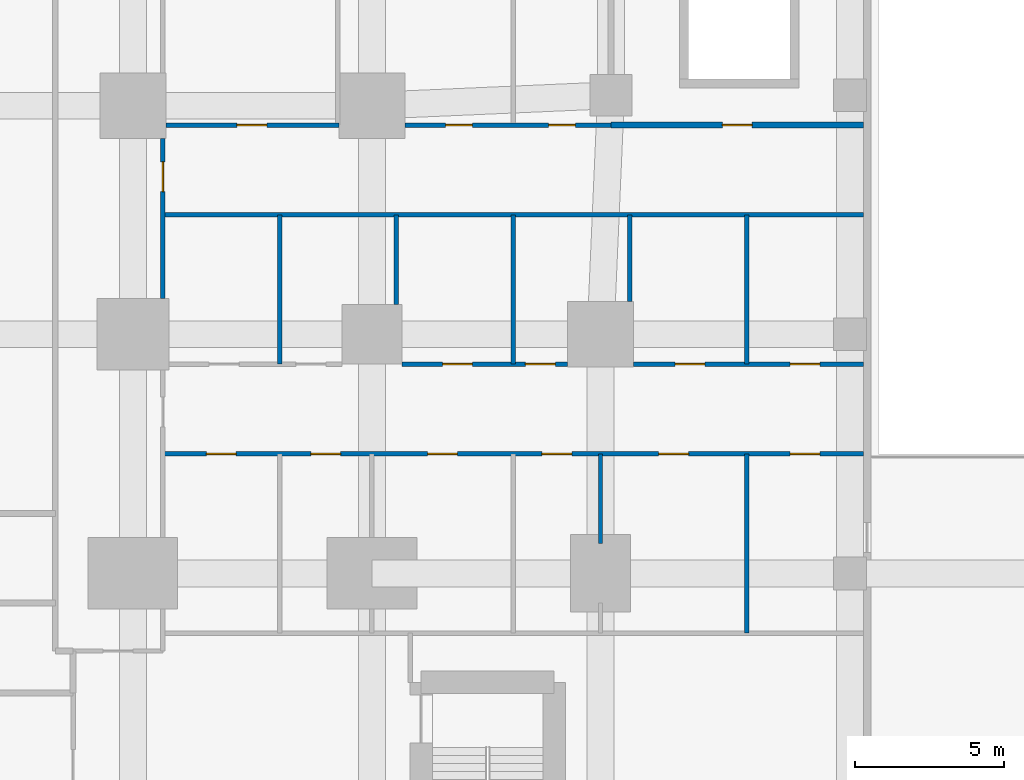
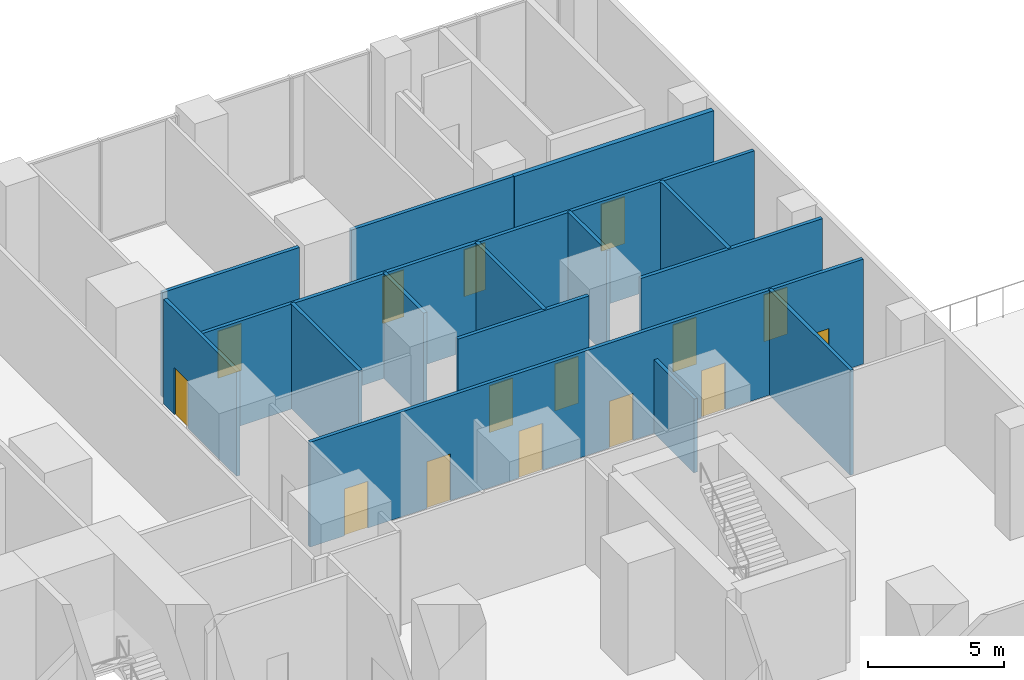
# One storey, part 12 of 19: 15 doors, 15 walls, 15 openings.
"""IFC4 building model written with IfcOpenShell, lengths in metres."""

from ifc_helpers import new_model, si_unit, direction, frame, frame_2d, origin, place, context, subcontext, project, spatial, rectangle, extrude, material, layer, layer_set, type_object, element, fill, save


model = new_model("IFC4")

# Units and contexts
model_context = context("Model", 3, precision=1e-05, world=origin(), true_north=direction((0.0, 1.0)))
body_context = subcontext(model_context, "Body", "Model", "MODEL_VIEW")
ifc_project = project(units=[si_unit("LENGTHUNIT", "METRE"), si_unit("AREAUNIT", "SQUARE_METRE"), si_unit("VOLUMEUNIT", "CUBIC_METRE"), si_unit("PLANEANGLEUNIT", "RADIAN"), si_unit("MASSUNIT", "GRAM", prefix="KILO")], contexts=[model_context])

# Site, building, storey
site_placement = place(None, origin())
site = spatial("IfcSite", under=ifc_project, at=site_placement, CompositionType="ELEMENT")
building_placement = place(site_placement, origin())
building = spatial("IfcBuilding", under=site, at=building_placement, Name="Cleftline Residences", CompositionType="ELEMENT")
storey_placement = place(building_placement, frame((0.0, 0.0, 11.0)))
storey = spatial("IfcBuildingStorey", under=building, at=storey_placement, Name="L02", CompositionType="ELEMENT", Elevation=11.0)

# Wall, opening, door
ifc_material_1 = material(Name="Concrete blockwork, fire rated", Category="masonry")
ifc_layer_1 = layer(ifc_material_1, 0.199951171875)
ifc_layer_set_1 = layer_set([ifc_layer_1], Name="FIRE WALL 200")
wall_type_1 = type_object("IfcWallType", Name="FIRE WALL 200", PredefinedType="PARTITIONING", material=ifc_layer_set_1)
wall_1_placement = place(storey_placement, frame((66.0, 47.0, 0.0), z_axis=(0.0, 0.0, 1.0), x_axis=(1.0, 0.0, 0.0)))
wall_1 = element("IfcWall", 1, at=wall_1_placement, inside=storey, type_object=wall_type_1, Name="Fire separating wall", PredefinedType="PARTITIONING", context=body_context, shape_type="SweptSolid", body=[
    extrude(rectangle(XDim=8.449951171875, YDim=0.199951171875, at=frame_2d((4.22509765625, 0.0))), origin(), (0.0, 0.0, 1.0), 4.699951171875),
])
opening_1_placement = place(wall_1_placement, frame((3.72509765625, 0.0, 0.0)))
opening_1 = element("IfcOpeningElement", 2, at=opening_1_placement, cuts=wall_1, Name="Opening D2F60", PredefinedType="OPENING", context=body_context, shape_type="SweptSolid", body=[
    extrude(rectangle(XDim=1.0, YDim=2.10009765625, at=frame_2d((0.5, 1.050048828125))), frame((0.0, 0.10986328125, 0.0), z_axis=(0.0, -1.0, 0.0), x_axis=(1.0, 0.0, 0.0)), (0.0, 0.0, 1.0), 0.219970703125),
])
ifc_material_2 = material(Name="Timber veneer on solid core", Category="wood")
door_type_1 = type_object("IfcDoorType", Name="DOOR 1000X2100 EI 60", OperationType="SINGLE_SWING_LEFT", PredefinedType="DOOR", material=ifc_material_2)
door_1_placement = place(opening_1_placement, origin())
door_1 = element("IfcDoor", 3, at=door_1_placement, inside=storey, type_object=door_type_1, Name="Door to spa plant room", OperationType="SINGLE_SWING_LEFT", OverallHeight=2.10009765625, OverallWidth=1.0, PredefinedType="DOOR", context=body_context, shape_type="SweptSolid", body=[
    extrude(rectangle(XDim=1.0, YDim=2.10009765625, at=frame_2d((0.5, 1.050048828125))), frame((0.0, 0.02490234375, 0.0), z_axis=(0.0, -1.0, 0.0), x_axis=(1.0, 0.0, 0.0)), (0.0, 0.0, 1.0), 0.050048828125),
])
fill(opening_1, door_1)

# Wall, openings, doors
ifc_material_3 = material(Name="Gypsum board on steel studs", Category="steel")
ifc_layer_2 = layer(ifc_material_3, 0.14990234375)
ifc_layer_set_2 = layer_set([ifc_layer_2], Name="PARTITION 150")
wall_type_2 = type_object("IfcWallType", Name="PARTITION 150", PredefinedType="PARTITIONING", material=ifc_layer_set_2)
wall_2_placement = place(storey_placement, frame((51.0, 36.0, 0.0), z_axis=(0.0, 0.0, 1.0), x_axis=(1.0, 0.0, 0.0)))
wall_2 = element("IfcWall", 4, at=wall_2_placement, inside=storey, type_object=wall_type_2, Name="Partition", PredefinedType="PARTITIONING", context=body_context, shape_type="SweptSolid", body=[
    extrude(rectangle(XDim=23.449951171875, YDim=0.14990234375, at=frame_2d((11.72509765625, 0.0))), origin(), (0.0, 0.0, 1.0), 4.699951171875),
])
opening_2_placement = place(wall_2_placement, frame((1.4541015625, 0.0, 0.0)))
opening_2 = element("IfcOpeningElement", 5, at=opening_2_placement, cuts=wall_2, Name="Opening D2", PredefinedType="OPENING", context=body_context, shape_type="SweptSolid", body=[
    extrude(rectangle(XDim=1.0, YDim=2.10009765625, at=frame_2d((0.5, 1.050048828125))), frame((0.0, 0.0849609375, 0.0), z_axis=(0.0, -1.0, 0.0), x_axis=(1.0, 0.0, 0.0)), (0.0, 0.0, 1.0), 0.169921875),
])
opening_3_placement = place(wall_2_placement, frame((4.9541015625, 0.0, 0.0)))
opening_3 = element("IfcOpeningElement", 6, at=opening_3_placement, cuts=wall_2, Name="Opening D2", PredefinedType="OPENING", context=body_context, shape_type="SweptSolid", body=[
    extrude(rectangle(XDim=1.0, YDim=2.10009765625, at=frame_2d((0.5, 1.050048828125))), frame((0.0, 0.0849609375, 0.0), z_axis=(0.0, -1.0, 0.0), x_axis=(1.0, 0.0, 0.0)), (0.0, 0.0, 1.0), 0.169921875),
])
opening_4_placement = place(wall_2_placement, frame((8.862548828125, 0.0, 0.0)))
opening_4 = element("IfcOpeningElement", 7, at=opening_4_placement, cuts=wall_2, Name="Opening D2", PredefinedType="OPENING", context=body_context, shape_type="SweptSolid", body=[
    extrude(rectangle(XDim=1.0, YDim=2.10009765625, at=frame_2d((0.5, 1.050048828125))), frame((0.0, 0.0849609375, 0.0), z_axis=(0.0, -1.0, 0.0), x_axis=(1.0, 0.0, 0.0)), (0.0, 0.0, 1.0), 0.169921875),
])
opening_5_placement = place(wall_2_placement, frame((12.6875, 0.0, 0.0)))
opening_5 = element("IfcOpeningElement", 8, at=opening_5_placement, cuts=wall_2, Name="Opening D2", PredefinedType="OPENING", context=body_context, shape_type="SweptSolid", body=[
    extrude(rectangle(XDim=1.0, YDim=2.10009765625, at=frame_2d((0.5, 1.050048828125))), frame((0.0, 0.0849609375, 0.0), z_axis=(0.0, -1.0, 0.0), x_axis=(1.0, 0.0, 0.0)), (0.0, 0.0, 1.0), 0.169921875),
])
opening_6_placement = place(wall_2_placement, frame((16.595947265625, 0.0, 0.0)))
opening_6 = element("IfcOpeningElement", 9, at=opening_6_placement, cuts=wall_2, Name="Opening D2", PredefinedType="OPENING", context=body_context, shape_type="SweptSolid", body=[
    extrude(rectangle(XDim=1.0, YDim=2.10009765625, at=frame_2d((0.5, 1.050048828125))), frame((0.0, 0.0849609375, 0.0), z_axis=(0.0, -1.0, 0.0), x_axis=(1.0, 0.0, 0.0)), (0.0, 0.0, 1.0), 0.169921875),
])
opening_7_placement = place(wall_2_placement, frame((20.99609375, 0.0, 0.0)))
opening_7 = element("IfcOpeningElement", 10, at=opening_7_placement, cuts=wall_2, Name="Opening D2", PredefinedType="OPENING", context=body_context, shape_type="SweptSolid", body=[
    extrude(rectangle(XDim=1.0, YDim=2.10009765625, at=frame_2d((0.5, 1.050048828125))), frame((0.0, 0.0849609375, 0.0), z_axis=(0.0, -1.0, 0.0), x_axis=(1.0, 0.0, 0.0)), (0.0, 0.0, 1.0), 0.169921875),
])
ifc_material_4 = material(Name="Timber veneer on solid core", Category="wood")
door_type_2 = type_object("IfcDoorType", Name="DOOR 1000X2100", OperationType="SINGLE_SWING_LEFT", PredefinedType="DOOR", material=ifc_material_4)
door_2_placement = place(opening_2_placement, origin())
door_2 = element("IfcDoor", 11, at=door_2_placement, inside=storey, type_object=door_type_2, Name="Door to treatment room 5", OperationType="SINGLE_SWING_RIGHT", OverallHeight=2.10009765625, OverallWidth=1.0, PredefinedType="DOOR", context=body_context, shape_type="SweptSolid", body=[
    extrude(rectangle(XDim=1.0, YDim=2.10009765625, at=frame_2d((0.5, 1.050048828125))), frame((0.0, 0.02490234375, 0.0), z_axis=(0.0, -1.0, 0.0), x_axis=(1.0, 0.0, 0.0)), (0.0, 0.0, 1.0), 0.050048828125),
])
fill(opening_2, door_2)
door_3_placement = place(opening_3_placement, origin())
door_3 = element("IfcDoor", 12, at=door_3_placement, inside=storey, type_object=door_type_2, Name="Door to treatment room 6", OperationType="SINGLE_SWING_RIGHT", OverallHeight=2.10009765625, OverallWidth=1.0, PredefinedType="DOOR", context=body_context, shape_type="SweptSolid", body=[
    extrude(rectangle(XDim=1.0, YDim=2.10009765625, at=frame_2d((0.5, 1.050048828125))), frame((0.0, 0.02490234375, 0.0), z_axis=(0.0, -1.0, 0.0), x_axis=(1.0, 0.0, 0.0)), (0.0, 0.0, 1.0), 0.050048828125),
])
fill(opening_3, door_3)
door_4_placement = place(opening_4_placement, origin())
door_4 = element("IfcDoor", 13, at=door_4_placement, inside=storey, type_object=door_type_2, Name="Door to treatment room 7", OperationType="SINGLE_SWING_RIGHT", OverallHeight=2.10009765625, OverallWidth=1.0, PredefinedType="DOOR", context=body_context, shape_type="SweptSolid", body=[
    extrude(rectangle(XDim=1.0, YDim=2.10009765625, at=frame_2d((0.5, 1.050048828125))), frame((0.0, 0.02490234375, 0.0), z_axis=(0.0, -1.0, 0.0), x_axis=(1.0, 0.0, 0.0)), (0.0, 0.0, 1.0), 0.050048828125),
])
fill(opening_4, door_4)
door_5_placement = place(opening_5_placement, origin())
door_5 = element("IfcDoor", 14, at=door_5_placement, inside=storey, type_object=door_type_2, Name="Door to treatment room 8", OperationType="SINGLE_SWING_LEFT", OverallHeight=2.10009765625, OverallWidth=1.0, PredefinedType="DOOR", context=body_context, shape_type="SweptSolid", body=[
    extrude(rectangle(XDim=1.0, YDim=2.10009765625, at=frame_2d((0.5, 1.050048828125))), frame((0.0, 0.02490234375, 0.0), z_axis=(0.0, -1.0, 0.0), x_axis=(1.0, 0.0, 0.0)), (0.0, 0.0, 1.0), 0.050048828125),
])
fill(opening_5, door_5)
door_6_placement = place(opening_6_placement, origin())
door_6 = element("IfcDoor", 15, at=door_6_placement, inside=storey, type_object=door_type_2, Name="Door to treatment room 9", OperationType="SINGLE_SWING_LEFT", OverallHeight=2.10009765625, OverallWidth=1.0, PredefinedType="DOOR", context=body_context, shape_type="SweptSolid", body=[
    extrude(rectangle(XDim=1.0, YDim=2.10009765625, at=frame_2d((0.5, 1.050048828125))), frame((0.0, 0.02490234375, 0.0), z_axis=(0.0, -1.0, 0.0), x_axis=(1.0, 0.0, 0.0)), (0.0, 0.0, 1.0), 0.050048828125),
])
fill(opening_6, door_6)
door_7_placement = place(opening_7_placement, origin())
door_7 = element("IfcDoor", 16, at=door_7_placement, inside=storey, type_object=door_type_2, Name="Door to treatment room 10", OperationType="SINGLE_SWING_LEFT", OverallHeight=2.10009765625, OverallWidth=1.0, PredefinedType="DOOR", context=body_context, shape_type="SweptSolid", body=[
    extrude(rectangle(XDim=1.0, YDim=2.10009765625, at=frame_2d((0.5, 1.050048828125))), frame((0.0, 0.02490234375, 0.0), z_axis=(0.0, -1.0, 0.0), x_axis=(1.0, 0.0, 0.0)), (0.0, 0.0, 1.0), 0.050048828125),
])
fill(opening_7, door_7)

wall_3_placement = place(storey_placement, frame((59.0, 39.0, 0.0), z_axis=(0.0, 0.0, 1.0), x_axis=(1.0, 0.0, 0.0)))
wall_3 = element("IfcWall", 17, at=wall_3_placement, inside=storey, type_object=wall_type_2, Name="Partition", PredefinedType="PARTITIONING", context=body_context, shape_type="SweptSolid", body=[
    extrude(rectangle(XDim=5.550048828125, YDim=0.14990234375, at=frame_2d((2.77490234375, 0.0))), origin(), (0.0, 0.0, 1.0), 4.699951171875),
])
opening_8_placement = place(wall_3_placement, frame((1.362548828125, 0.0, 0.0)))
opening_8 = element("IfcOpeningElement", 18, at=opening_8_placement, cuts=wall_3, Name="Opening D2", PredefinedType="OPENING", context=body_context, shape_type="SweptSolid", body=[
    extrude(rectangle(XDim=1.0, YDim=2.10009765625, at=frame_2d((0.5, 1.050048828125))), frame((0.0, 0.0849609375, 0.0), z_axis=(0.0, -1.0, 0.0), x_axis=(1.0, 0.0, 0.0)), (0.0, 0.0, 1.0), 0.169921875),
])
opening_9_placement = place(wall_3_placement, frame((4.137451171875, 0.0, 0.0)))
opening_9 = element("IfcOpeningElement", 19, at=opening_9_placement, cuts=wall_3, Name="Opening D2", PredefinedType="OPENING", context=body_context, shape_type="SweptSolid", body=[
    extrude(rectangle(XDim=1.0, YDim=2.10009765625, at=frame_2d((0.5, 1.050048828125))), frame((0.0, 0.0849609375, 0.0), z_axis=(0.0, -1.0, 0.0), x_axis=(1.0, 0.0, 0.0)), (0.0, 0.0, 1.0), 0.169921875),
])
door_8_placement = place(opening_8_placement, origin())
door_8 = element("IfcDoor", 20, at=door_8_placement, inside=storey, type_object=door_type_2, Name="Door to treatment room 13", OperationType="SINGLE_SWING_RIGHT", OverallHeight=2.10009765625, OverallWidth=1.0, PredefinedType="DOOR", context=body_context, shape_type="SweptSolid", body=[
    extrude(rectangle(XDim=1.0, YDim=2.10009765625, at=frame_2d((0.5, 1.050048828125))), frame((0.0, 0.02490234375, 0.0), z_axis=(0.0, -1.0, 0.0), x_axis=(1.0, 0.0, 0.0)), (0.0, 0.0, 1.0), 0.050048828125),
])
fill(opening_8, door_8)
door_9_placement = place(opening_9_placement, origin())
door_9 = element("IfcDoor", 21, at=door_9_placement, inside=storey, type_object=door_type_2, Name="Door to treatment room 14", OperationType="SINGLE_SWING_LEFT", OverallHeight=2.10009765625, OverallWidth=1.0, PredefinedType="DOOR", context=body_context, shape_type="SweptSolid", body=[
    extrude(rectangle(XDim=1.0, YDim=2.10009765625, at=frame_2d((0.5, 1.050048828125))), frame((0.0, 0.02490234375, 0.0), z_axis=(0.0, -1.0, 0.0), x_axis=(1.0, 0.0, 0.0)), (0.0, 0.0, 1.0), 0.050048828125),
])
fill(opening_9, door_9)

wall_4_placement = place(storey_placement, frame((66.75, 39.0, 0.0), z_axis=(0.0, 0.0, 1.0), x_axis=(1.0, 0.0, 0.0)))
wall_4 = element("IfcWall", 22, at=wall_4_placement, inside=storey, type_object=wall_type_2, Name="Partition", PredefinedType="PARTITIONING", context=body_context, shape_type="SweptSolid", body=[
    extrude(rectangle(XDim=7.699951171875, YDim=0.14990234375, at=frame_2d((3.85009765625, 0.0))), origin(), (0.0, 0.0, 1.0), 4.699951171875),
])
opening_10_placement = place(wall_4_placement, frame((1.39599609375, 0.0, 0.0)))
opening_10 = element("IfcOpeningElement", 23, at=opening_10_placement, cuts=wall_4, Name="Opening D2", PredefinedType="OPENING", context=body_context, shape_type="SweptSolid", body=[
    extrude(rectangle(XDim=1.0, YDim=2.10009765625, at=frame_2d((0.5, 1.050048828125))), frame((0.0, 0.0849609375, 0.0), z_axis=(0.0, -1.0, 0.0), x_axis=(1.0, 0.0, 0.0)), (0.0, 0.0, 1.0), 0.169921875),
])
opening_11_placement = place(wall_4_placement, frame((5.24609375, 0.0, 0.0)))
opening_11 = element("IfcOpeningElement", 24, at=opening_11_placement, cuts=wall_4, Name="Opening D2", PredefinedType="OPENING", context=body_context, shape_type="SweptSolid", body=[
    extrude(rectangle(XDim=1.0, YDim=2.10009765625, at=frame_2d((0.5, 1.050048828125))), frame((0.0, 0.0849609375, 0.0), z_axis=(0.0, -1.0, 0.0), x_axis=(1.0, 0.0, 0.0)), (0.0, 0.0, 1.0), 0.169921875),
])
door_10_placement = place(opening_10_placement, origin())
door_10 = element("IfcDoor", 25, at=door_10_placement, inside=storey, type_object=door_type_2, Name="Door to treatment room 15", OperationType="SINGLE_SWING_RIGHT", OverallHeight=2.10009765625, OverallWidth=1.0, PredefinedType="DOOR", context=body_context, shape_type="SweptSolid", body=[
    extrude(rectangle(XDim=1.0, YDim=2.10009765625, at=frame_2d((0.5, 1.050048828125))), frame((0.0, 0.02490234375, 0.0), z_axis=(0.0, -1.0, 0.0), x_axis=(1.0, 0.0, 0.0)), (0.0, 0.0, 1.0), 0.050048828125),
])
fill(opening_10, door_10)
door_11_placement = place(opening_11_placement, origin())
door_11 = element("IfcDoor", 26, at=door_11_placement, inside=storey, type_object=door_type_2, Name="Door to treatment room 16", OperationType="SINGLE_SWING_LEFT", OverallHeight=2.10009765625, OverallWidth=1.0, PredefinedType="DOOR", context=body_context, shape_type="SweptSolid", body=[
    extrude(rectangle(XDim=1.0, YDim=2.10009765625, at=frame_2d((0.5, 1.050048828125))), frame((0.0, 0.02490234375, 0.0), z_axis=(0.0, -1.0, 0.0), x_axis=(1.0, 0.0, 0.0)), (0.0, 0.0, 1.0), 0.050048828125),
])
fill(opening_11, door_11)

# Wall
wall_5_placement = place(storey_placement, frame((51.0, 44.0, 0.0), z_axis=(0.0, 0.0, 1.0), x_axis=(1.0, 0.0, 0.0)))
element("IfcWall", 27, at=wall_5_placement, inside=storey, type_object=wall_type_2, Name="Partition", PredefinedType="PARTITIONING", context=body_context, shape_type="SweptSolid", body=[
    extrude(rectangle(XDim=23.449951171875, YDim=0.14990234375, at=frame_2d((11.72509765625, 0.0))), origin(), (0.0, 0.0, 1.0), 4.699951171875),
])

# Wall, opening, door
wall_6_placement = place(storey_placement, frame((51.10009765625, 47.0, 0.0), z_axis=(0.0, 0.0, 1.0), x_axis=(1.0, 0.0, 0.0)))
wall_6 = element("IfcWall", 28, at=wall_6_placement, inside=storey, type_object=wall_type_2, Name="Partition", PredefinedType="PARTITIONING", context=body_context, shape_type="SweptSolid", body=[
    extrude(rectangle(XDim=5.7998046875, YDim=0.14990234375, at=frame_2d((2.89990234375, 0.0))), origin(), (0.0, 0.0, 1.0), 4.699951171875),
])
opening_12_placement = place(wall_6_placement, frame((2.381103515625, 0.0, 0.0)))
opening_12 = element("IfcOpeningElement", 29, at=opening_12_placement, cuts=wall_6, Name="Opening D2", PredefinedType="OPENING", context=body_context, shape_type="SweptSolid", body=[
    extrude(rectangle(XDim=1.0, YDim=2.10009765625, at=frame_2d((0.5, 1.050048828125))), frame((0.0, 0.0849609375, 0.0), z_axis=(0.0, -1.0, 0.0), x_axis=(1.0, 0.0, 0.0)), (0.0, 0.0, 1.0), 0.169921875),
])
door_12_placement = place(opening_12_placement, origin())
door_12 = element("IfcDoor", 30, at=door_12_placement, inside=storey, type_object=door_type_2, Name="Door to spa staff room", OperationType="SINGLE_SWING_RIGHT", OverallHeight=2.10009765625, OverallWidth=1.0, PredefinedType="DOOR", context=body_context, shape_type="SweptSolid", body=[
    extrude(rectangle(XDim=1.0, YDim=2.10009765625, at=frame_2d((0.5, 1.050048828125))), frame((0.0, 0.02490234375, 0.0), z_axis=(0.0, -1.0, 0.0), x_axis=(1.0, 0.0, 0.0)), (0.0, 0.0, 1.0), 0.050048828125),
])
fill(opening_12, door_12)

# Wall, openings, doors
wall_7_placement = place(storey_placement, frame((59.10009765625, 47.0, 0.0), z_axis=(0.0, 0.0, 1.0), x_axis=(1.0, 0.0, 0.0)))
wall_7 = element("IfcWall", 31, at=wall_7_placement, inside=storey, type_object=wall_type_2, Name="Partition", PredefinedType="PARTITIONING", context=body_context, shape_type="SweptSolid", body=[
    extrude(rectangle(XDim=6.89990234375, YDim=0.14990234375, at=frame_2d((3.449951171875, 0.0))), origin(), (0.0, 0.0, 1.0), 4.699951171875),
])
opening_13_placement = place(wall_7_placement, frame((1.362548828125, 0.0, 0.0)))
opening_13 = element("IfcOpeningElement", 32, at=opening_13_placement, cuts=wall_7, Name="Opening D1", PredefinedType="OPENING", context=body_context, shape_type="SweptSolid", body=[
    extrude(rectangle(XDim=0.89990234375, YDim=2.10009765625, at=frame_2d((0.449951171875, 1.050048828125))), frame((0.0, 0.0849609375, 0.0), z_axis=(0.0, -1.0, 0.0), x_axis=(1.0, 0.0, 0.0)), (0.0, 0.0, 1.0), 0.169921875),
])
opening_14_placement = place(wall_7_placement, frame((4.8125, 0.0, 0.0)))
opening_14 = element("IfcOpeningElement", 33, at=opening_14_placement, cuts=wall_7, Name="Opening D1", PredefinedType="OPENING", context=body_context, shape_type="SweptSolid", body=[
    extrude(rectangle(XDim=0.89990234375, YDim=2.10009765625, at=frame_2d((0.449951171875, 1.050048828125))), frame((0.0, 0.0849609375, 0.0), z_axis=(0.0, -1.0, 0.0), x_axis=(1.0, 0.0, 0.0)), (0.0, 0.0, 1.0), 0.169921875),
])
ifc_material_5 = material(Name="Timber veneer on solid core", Category="wood")
door_type_3 = type_object("IfcDoorType", Name="DOOR 900X2100", OperationType="SINGLE_SWING_LEFT", PredefinedType="DOOR", material=ifc_material_5)
door_13_placement = place(opening_13_placement, origin())
door_13 = element("IfcDoor", 34, at=door_13_placement, inside=storey, type_object=door_type_3, Name="Door to spa linen store", OperationType="SINGLE_SWING_RIGHT", OverallHeight=2.10009765625, OverallWidth=0.89990234375, PredefinedType="DOOR", context=body_context, shape_type="SweptSolid", body=[
    extrude(rectangle(XDim=0.89990234375, YDim=2.10009765625, at=frame_2d((0.449951171875, 1.050048828125))), frame((0.0, 0.02490234375, 0.0), z_axis=(0.0, -1.0, 0.0), x_axis=(1.0, 0.0, 0.0)), (0.0, 0.0, 1.0), 0.050048828125),
])
fill(opening_13, door_13)
door_14_placement = place(opening_14_placement, origin())
door_14 = element("IfcDoor", 35, at=door_14_placement, inside=storey, type_object=door_type_3, Name="Door to spa laundry", OperationType="SINGLE_SWING_LEFT", OverallHeight=2.10009765625, OverallWidth=0.89990234375, PredefinedType="DOOR", context=body_context, shape_type="SweptSolid", body=[
    extrude(rectangle(XDim=0.89990234375, YDim=2.10009765625, at=frame_2d((0.449951171875, 1.050048828125))), frame((0.0, 0.02490234375, 0.0), z_axis=(0.0, -1.0, 0.0), x_axis=(1.0, 0.0, 0.0)), (0.0, 0.0, 1.0), 0.050048828125),
])
fill(opening_14, door_14)

# Wall, opening, door
wall_8_placement = place(storey_placement, frame((51.0, 41.199951171875, 0.0), z_axis=(0.0, 0.0, 1.0), x_axis=(0.0, 1.0, 0.0)))
wall_8 = element("IfcWall", 36, at=wall_8_placement, inside=storey, type_object=wall_type_2, Name="Partition", PredefinedType="PARTITIONING", context=body_context, shape_type="SweptSolid", body=[
    extrude(rectangle(XDim=5.35009765625, YDim=0.14990234375, at=frame_2d((2.675048828125, 0.0))), origin(), (0.0, 0.0, 1.0), 4.699951171875),
])
opening_15_placement = place(wall_8_placement, frame((3.574951171875, 0.0, 0.0)))
opening_15 = element("IfcOpeningElement", 37, at=opening_15_placement, cuts=wall_8, Name="Opening D2F30", PredefinedType="OPENING", context=body_context, shape_type="SweptSolid", body=[
    extrude(rectangle(XDim=1.0, YDim=2.10009765625, at=frame_2d((0.5, 1.050048828125))), frame((0.0, 0.0849609375, 0.0), z_axis=(0.0, -1.0, 0.0), x_axis=(1.0, 0.0, 0.0)), (0.0, 0.0, 1.0), 0.169921875),
])
ifc_material_6 = material(Name="Timber veneer on solid core", Category="wood")
door_type_4 = type_object("IfcDoorType", Name="DOOR 1000X2100 EI 30", OperationType="SINGLE_SWING_LEFT", PredefinedType="DOOR", material=ifc_material_6)
door_15_placement = place(opening_15_placement, origin())
door_15 = element("IfcDoor", 38, at=door_15_placement, inside=storey, type_object=door_type_4, Name="Door to spa service corridor", OperationType="SINGLE_SWING_LEFT", OverallHeight=2.10009765625, OverallWidth=1.0, PredefinedType="DOOR", context=body_context, shape_type="SweptSolid", body=[
    extrude(rectangle(XDim=1.0, YDim=2.10009765625, at=frame_2d((0.5, 1.050048828125))), frame((0.0, 0.02490234375, 0.0), z_axis=(0.0, -1.0, 0.0), x_axis=(1.0, 0.0, 0.0)), (0.0, 0.0, 1.0), 0.050048828125),
])
fill(opening_15, door_15)

# Walls
wall_9_placement = place(storey_placement, frame((54.907958984375, 39.0, 0.0), z_axis=(0.0, 0.0, 1.0), x_axis=(0.0, 1.0, 0.0)))
element("IfcWall", 39, at=wall_9_placement, inside=storey, type_object=wall_type_2, Name="Partition", PredefinedType="PARTITIONING", context=body_context, shape_type="SweptSolid", body=[
    extrude(rectangle(XDim=5.0, YDim=0.14990234375, at=frame_2d((2.5, 0.0))), origin(), (0.0, 0.0, 1.0), 4.699951171875),
])
wall_10_placement = place(storey_placement, frame((58.81689453125, 41.0, 0.0), z_axis=(0.0, 0.0, 1.0), x_axis=(0.0, 1.0, 0.0)))
element("IfcWall", 40, at=wall_10_placement, inside=storey, type_object=wall_type_2, Name="Partition", PredefinedType="PARTITIONING", context=body_context, shape_type="SweptSolid", body=[
    extrude(rectangle(XDim=3.0, YDim=0.14990234375, at=frame_2d((1.5, 0.0))), origin(), (0.0, 0.0, 1.0), 4.699951171875),
])
wall_11_placement = place(storey_placement, frame((62.72509765625, 39.0, 0.0), z_axis=(0.0, 0.0, 1.0), x_axis=(0.0, 1.0, 0.0)))
element("IfcWall", 41, at=wall_11_placement, inside=storey, type_object=wall_type_2, Name="Partition", PredefinedType="PARTITIONING", context=body_context, shape_type="SweptSolid", body=[
    extrude(rectangle(XDim=5.0, YDim=0.14990234375, at=frame_2d((2.5, 0.0))), origin(), (0.0, 0.0, 1.0), 4.699951171875),
])
wall_12_placement = place(storey_placement, frame((65.64990234375, 33.0, 0.0), z_axis=(0.0, 0.0, 1.0), x_axis=(0.0, 1.0, 0.0)))
element("IfcWall", 42, at=wall_12_placement, inside=storey, type_object=wall_type_2, Name="Partition", PredefinedType="PARTITIONING", context=body_context, shape_type="SweptSolid", body=[
    extrude(rectangle(XDim=3.0, YDim=0.14990234375, at=frame_2d((1.5, 0.0))), origin(), (0.0, 0.0, 1.0), 3.300048828125),
])
wall_13_placement = place(storey_placement, frame((66.633056640625, 41.10009765625, 0.0), z_axis=(0.0, 0.0, 1.0), x_axis=(0.0, 1.0, 0.0)))
element("IfcWall", 43, at=wall_13_placement, inside=storey, type_object=wall_type_2, Name="Partition", PredefinedType="PARTITIONING", context=body_context, shape_type="SweptSolid", body=[
    extrude(rectangle(XDim=2.89990234375, YDim=0.14990234375, at=frame_2d((1.449951171875, 0.0))), origin(), (0.0, 0.0, 1.0), 4.699951171875),
])
wall_14_placement = place(storey_placement, frame((70.5419921875, 30.0, 0.0), z_axis=(0.0, 0.0, 1.0), x_axis=(0.0, 1.0, 0.0)))
element("IfcWall", 44, at=wall_14_placement, inside=storey, type_object=wall_type_2, Name="Partition", PredefinedType="PARTITIONING", context=body_context, shape_type="SweptSolid", body=[
    extrude(rectangle(XDim=6.0, YDim=0.14990234375, at=frame_2d((3.0, 0.0))), origin(), (0.0, 0.0, 1.0), 4.699951171875),
])
wall_15_placement = place(storey_placement, frame((70.5419921875, 39.0, 0.0), z_axis=(0.0, 0.0, 1.0), x_axis=(0.0, 1.0, 0.0)))
element("IfcWall", 45, at=wall_15_placement, inside=storey, type_object=wall_type_2, Name="Partition", PredefinedType="PARTITIONING", context=body_context, shape_type="SweptSolid", body=[
    extrude(rectangle(XDim=5.0, YDim=0.14990234375, at=frame_2d((2.5, 0.0))), origin(), (0.0, 0.0, 1.0), 4.699951171875),
])

save(model, "model.ifc")
